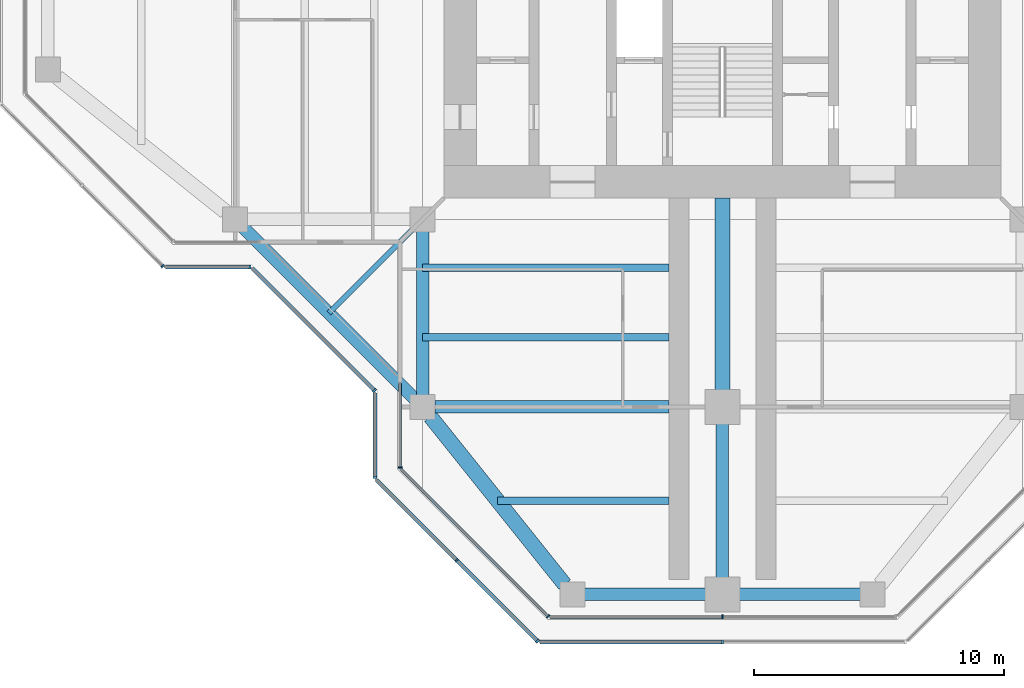
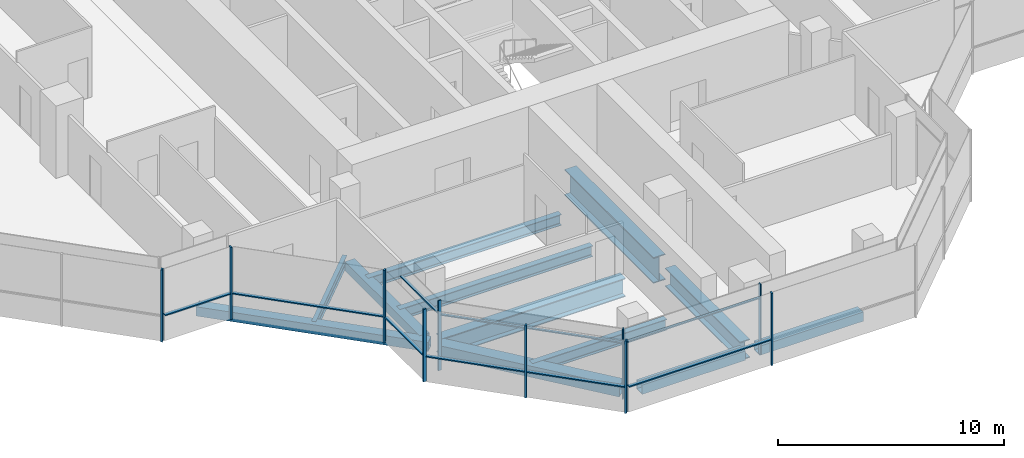
# One storey, part 2 of 16: 19 members, 12 beams, 9 elements without a shape of their own.
"""IFC4 building model written with IfcOpenShell, lengths in metres."""

from ifc_helpers import new_model, si_unit, direction, frame, origin, origin_2d, place, context, subcontext, project, spatial, rectangle, hollow_rectangle, i_section, extrude, material, material_profile, profile_set, type_object, element, aggregate, save


model = new_model("IFC4")

# Units and contexts
model_context = context("Model", 3, precision=1e-05, world=origin(), true_north=direction((0.0, 1.0)))
body_context = subcontext(model_context, "Body", "Model", "MODEL_VIEW")
ifc_project = project(units=[si_unit("LENGTHUNIT", "METRE"), si_unit("AREAUNIT", "SQUARE_METRE"), si_unit("VOLUMEUNIT", "CUBIC_METRE"), si_unit("PLANEANGLEUNIT", "RADIAN"), si_unit("MASSUNIT", "GRAM", prefix="KILO")], contexts=[model_context])

# Site, building, storey
site_placement = place(None, origin())
site = spatial("IfcSite", under=ifc_project, at=site_placement, CompositionType="ELEMENT")
building_placement = place(site_placement, origin())
building = spatial("IfcBuilding", under=site, at=building_placement, Name="Mizan Broadcast Tower", CompositionType="ELEMENT")
storey_placement = place(building_placement, frame((0.0, 0.0, 294.60009765625)))
storey = spatial("IfcBuildingStorey", under=building, at=storey_placement, Name="L70", CompositionType="ELEMENT", Elevation=294.60009765625)

# Beams
ifc_material_1 = material(Name="Steel S355", Category="steel")
ifc_material_profile_1 = material_profile(ifc_material_1, hollow_rectangle(XDim=0.5, YDim=0.5, WallThickness=0.030029296875, at=origin_2d()), Name="BOX 500x500x30")
ifc_profile_set_1 = profile_set([ifc_material_profile_1], Name="Steel S355")
beam_type_1 = type_object("IfcBeamType", Name="EDGE BEAM BOX 500x500x30", PredefinedType="SPANDREL", material=ifc_profile_set_1)
beam_1_placement = place(storey_placement, frame((-12.0, -12.449951171875, -0.380126953125), z_axis=(0.0, -1.0, 0.0), x_axis=(1.0, 0.0, 0.0)))
element("IfcBeam", 1, at=beam_1_placement, inside=storey, type_object=beam_type_1, Name="Edge beam BOX 500x500x30 L70 south arm", PredefinedType="SPANDREL", context=body_context, shape_type="SweptSolid", body=[
    extrude(hollow_rectangle(XDim=0.5, YDim=0.5, WallThickness=0.030029296875, at=origin_2d()), origin(), (0.0, 0.0, 1.0), 6.60009765625),
])
for number, where, z_axis, x_axis, name in (
    (2, (-5.639892578125, -27.0, -0.380126953125), (1.0, 0.0, 0.0), (0.0, 1.0, 0.0), "Edge beam BOX 500x500x30 L70 south arm"),
    (3, (5.639892578125, -27.0, -0.380126953125), (-1.0, 0.0, 0.0), (0.0, -1.0, 0.0), "Edge beam BOX 500x500x30 L70 south arm"),
):
    element("IfcBeam", number, at=place(storey_placement, frame(where, z_axis=z_axis, x_axis=x_axis)), inside=storey, type_object=beam_type_1, Name=name, PredefinedType="SPANDREL", context=body_context, shape_type="SweptSolid", body=[
        extrude(hollow_rectangle(XDim=0.5, YDim=0.5, WallThickness=0.030029296875, at=origin_2d()), origin(), (0.0, 0.0, 1.0), 5.27978515625),
    ])
beam_2_placement = place(storey_placement, frame((-19.5, -12.0, -0.380126953125), z_axis=(0.707106781187, -0.707106781187, 0.0), x_axis=(0.707106781187, 0.707106781187, 0.0)))
element("IfcBeam", 4, at=beam_2_placement, inside=storey, type_object=beam_type_1, Name="Winter garden edge beam L70 W", PredefinedType="SPANDREL", context=body_context, shape_type="SweptSolid", body=[
    extrude(hollow_rectangle(XDim=0.5, YDim=0.5, WallThickness=0.030029296875, at=origin_2d()), origin(), (0.0, 0.0, 1.0), 10.606689453125),
])
ifc_material_2 = material(Name="Steel S355", Category="steel")
ifc_material_profile_2 = material_profile(ifc_material_2, hollow_rectangle(XDim=0.60009765625, YDim=0.60009765625, WallThickness=0.030029296875, at=origin_2d()), Name="BOX 600x600x30")
ifc_profile_set_2 = profile_set([ifc_material_profile_2], Name="Steel S355")
beam_type_2 = type_object("IfcBeamType", Name="EDGE BEAM BOX 600x600x30", PredefinedType="SPANDREL", material=ifc_profile_set_2)
beam_3_placement = place(storey_placement, frame((-11.687744140625, -19.890380859375, -0.43017578125), z_axis=(0.62470196761, -0.780863273348, 0.0), x_axis=(0.780863273348, 0.62470196761, 0.0)))
element("IfcBeam", 5, at=beam_3_placement, inside=storey, type_object=beam_type_2, Name="Edge beam BOX 600x600x30 L70 south arm", PredefinedType="SPANDREL", context=body_context, shape_type="SweptSolid", body=[
    extrude(hollow_rectangle(XDim=0.60009765625, YDim=0.60009765625, WallThickness=0.030029296875, at=origin_2d()), origin(), (0.0, 0.0, 1.0), 8.60498046875),
])
ifc_material_3 = material(Name="Steel S460", Category="steel")
ifc_material_profile_3 = material_profile(ifc_material_3, i_section(OverallWidth=0.5, OverallDepth=1.0, WebThickness=0.02490234375, FlangeThickness=0.050048828125, at=origin_2d()), Name="WPG 1000x500")
ifc_profile_set_3 = profile_set([ifc_material_profile_3], Name="Steel S460")
beam_type_3 = type_object("IfcBeamType", Name="GIRDER WPG 1000x500", PredefinedType="BEAM", material=ifc_profile_set_3)
beam_4_placement = place(storey_placement, frame((0.0, -19.949951171875, -0.630126953125), z_axis=(0.0, -1.0, 0.0), x_axis=(1.0, 0.0, 0.0)))
element("IfcBeam", 6, at=beam_4_placement, inside=storey, type_object=beam_type_3, Name="Girder WPG 1000x500 L70 south arm", PredefinedType="BEAM", context=body_context, shape_type="SweptSolid", body=[
    extrude(i_section(OverallWidth=0.5, OverallDepth=1.0, WebThickness=0.02490234375, FlangeThickness=0.050048828125, at=origin_2d()), origin(), (0.0, 0.0, 1.0), 6.60009765625),
])
beam_5_placement = place(storey_placement, frame((-11.5, -19.5, -0.630126953125), z_axis=(1.0, 0.0, 0.0), x_axis=(0.0, 1.0, 0.0)))
element("IfcBeam", 7, at=beam_5_placement, inside=storey, type_object=beam_type_3, Name="Girder WPG 1000x500 L70 south arm", PredefinedType="BEAM", context=body_context, shape_type="SweptSolid", body=[
    extrude(i_section(OverallWidth=0.5, OverallDepth=1.0, WebThickness=0.02490234375, FlangeThickness=0.050048828125, at=origin_2d()), origin(), (0.0, 0.0, 1.0), 9.35009765625),
])
ifc_material_4 = material(Name="Steel S460", Category="steel")
ifc_material_profile_4 = material_profile(ifc_material_4, i_section(OverallWidth=0.60009765625, OverallDepth=1.39990234375, WebThickness=0.02490234375, FlangeThickness=0.06005859375, at=origin_2d()), Name="WPG 1400x600")
ifc_profile_set_4 = profile_set([ifc_material_profile_4], Name="Steel S460")
beam_type_4 = type_object("IfcBeamType", Name="GIRDER WPG 1400x600", PredefinedType="BEAM", material=ifc_profile_set_4)
beam_6_placement = place(storey_placement, frame((0.0, -11.14990234375, -0.830078125), z_axis=(0.0, -1.0, 0.0), x_axis=(1.0, 0.0, 0.0)))
element("IfcBeam", 8, at=beam_6_placement, inside=storey, type_object=beam_type_4, Name="Girder WPG 1400x600 L70 south arm", PredefinedType="BEAM", context=body_context, shape_type="SweptSolid", body=[
    extrude(i_section(OverallWidth=0.60009765625, OverallDepth=1.39990234375, WebThickness=0.02490234375, FlangeThickness=0.06005859375, at=origin_2d()), origin(), (0.0, 0.0, 1.0), 7.84912109375),
])

# Curtain wall, member
ifc_material_5 = material(Name="Aluminium framed glazing", Category="aluminium")
curtain_wall_type_1 = type_object("IfcCurtainWallType", Name="INNER SKIN TOP ZONE", PredefinedType="USERDEFINED", material=ifc_material_5)
curtain_wall_1_placement = place(storey_placement, origin())
curtain_wall_1 = element("IfcCurtainWall", 9, at=curtain_wall_1_placement, inside=storey, type_object=curtain_wall_type_1, Name="Inner skin top zone L70 S side", ObjectType="INNER SKIN TOP ZONE", PredefinedType="USERDEFINED")
ifc_material_6 = material(Name="Aluminium, pale anodised", Category="aluminium")
ifc_material_profile_5 = material_profile(ifc_material_6, rectangle(XDim=0.159912109375, YDim=0.06005859375, at=origin_2d()), Name="MULLION 160x60")
ifc_profile_set_5 = profile_set([ifc_material_profile_5], Name="Aluminium, pale anodised")
member_type_1 = type_object("IfcMemberType", Name="INNER SKIN MULLION 60x160", PredefinedType="MULLION", material=ifc_profile_set_5)
member_1_placement = place(storey_placement, frame((-12.89990234375, -21.928466796875, 0.0), z_axis=(0.0, 0.0, 1.0), x_axis=(1.0, 0.0, 0.0)))
member_1 = element("IfcMember", 10, at=member_1_placement, type_object=member_type_1, Name="Inner skin top zone L70 S side mullion 2", PredefinedType="MULLION", context=body_context, shape_type="SweptSolid", body=[
    extrude(rectangle(XDim=0.159912109375, YDim=0.06005859375, at=origin_2d()), origin(), (0.0, 0.0, 1.0), 3.77001953125),
])

curtain_wall_2_placement = place(storey_placement, origin())
curtain_wall_2 = element("IfcCurtainWall", 11, at=curtain_wall_2_placement, inside=storey, type_object=curtain_wall_type_1, Name="Inner skin top zone L70 S chamfer", ObjectType="INNER SKIN TOP ZONE", PredefinedType="USERDEFINED")
member_2_placement = place(storey_placement, frame((-6.979736328125, -27.87890625, 0.0), z_axis=(0.0, 0.0, 1.0), x_axis=(0.707106781187, 0.707106781187, 0.0)))
member_2 = element("IfcMember", 12, at=member_2_placement, type_object=member_type_1, Name="Inner skin top zone L70 S chamfer mullion 2", PredefinedType="MULLION", context=body_context, shape_type="SweptSolid", body=[
    extrude(rectangle(XDim=0.159912109375, YDim=0.06005859375, at=origin_2d()), origin(), (0.0, 0.0, 1.0), 3.77001953125),
])

curtain_wall_3_placement = place(storey_placement, origin())
curtain_wall_3 = element("IfcCurtainWall", 13, at=curtain_wall_3_placement, inside=storey, type_object=curtain_wall_type_1, Name="Inner skin top zone L70 S end", ObjectType="INNER SKIN TOP ZONE", PredefinedType="USERDEFINED")
member_3_placement = place(storey_placement, frame((0.0, -27.89990234375, 0.0), z_axis=(0.0, 0.0, 1.0), x_axis=(0.0, 1.0, 0.0)))
member_3 = element("IfcMember", 14, at=member_3_placement, type_object=member_type_1, Name="Inner skin top zone L70 S end mullion 2", PredefinedType="MULLION", context=body_context, shape_type="SweptSolid", body=[
    extrude(rectangle(XDim=0.159912109375, YDim=0.06005859375, at=origin_2d()), origin(), (0.0, 0.0, 1.0), 3.77001953125),
])

# Member
ifc_material_7 = material(Name="Aluminium, pale anodised", Category="aluminium")
ifc_material_profile_6 = material_profile(ifc_material_7, rectangle(XDim=0.1201171875, YDim=0.06005859375, at=origin_2d()), Name="TRANSOM 120x60")
ifc_profile_set_6 = profile_set([ifc_material_profile_6], Name="Aluminium, pale anodised")
member_type_2 = type_object("IfcMemberType", Name="INNER SKIN TRANSOM 60x120", PredefinedType="USERDEFINED", material=ifc_profile_set_6)
member_4_placement = place(storey_placement, frame((-12.89990234375, -18.56005859375, 3.02978515625), z_axis=(0.0, -1.0, 0.0), x_axis=(1.0, 0.0, 0.0)))
member_4 = element("IfcMember", 15, at=member_4_placement, type_object=member_type_2, Name="Inner skin top zone L70 S side transom 1.1", ObjectType="TRANSOM", PredefinedType="USERDEFINED", context=body_context, shape_type="SweptSolid", body=[
    extrude(rectangle(XDim=0.1201171875, YDim=0.06005859375, at=origin_2d()), origin(), (0.0, 0.0, 1.0), 3.338623046875),
])

aggregate(curtain_wall_1, [member_1, member_4])

member_5_placement = place(storey_placement, frame((-12.857666015625, -22.0009765625, 3.02978515625), z_axis=(0.707106781187, -0.707106781187, 0.0), x_axis=(0.707106781187, 0.707106781187, 0.0)))
member_5 = element("IfcMember", 16, at=member_5_placement, type_object=member_type_2, Name="Inner skin top zone L70 S chamfer transom 1.1", ObjectType="TRANSOM", PredefinedType="USERDEFINED", context=body_context, shape_type="SweptSolid", body=[
    extrude(rectangle(XDim=0.1201171875, YDim=0.06005859375, at=origin_2d()), origin(), (0.0, 0.0, 1.0), 8.28271484375),
])

aggregate(curtain_wall_2, [member_2, member_5])

member_6_placement = place(storey_placement, frame((-6.898681640625, -27.89990234375, 3.02978515625), z_axis=(1.0, 0.0, 0.0), x_axis=(0.0, 1.0, 0.0)))
member_6 = element("IfcMember", 17, at=member_6_placement, type_object=member_type_2, Name="Inner skin top zone L70 S end transom 1.1", ObjectType="TRANSOM", PredefinedType="USERDEFINED", context=body_context, shape_type="SweptSolid", body=[
    extrude(rectangle(XDim=0.1201171875, YDim=0.06005859375, at=origin_2d()), origin(), (0.0, 0.0, 1.0), 6.86865234375),
])

aggregate(curtain_wall_3, [member_3, member_6])

# Curtain wall, member
ifc_material_8 = material(Name="Aluminium framed glazing", Category="aluminium")
curtain_wall_type_2 = type_object("IfcCurtainWallType", Name="OUTER SKIN", PredefinedType="USERDEFINED", material=ifc_material_8)
curtain_wall_4_placement = place(storey_placement, origin())
curtain_wall_4 = element("IfcCurtainWall", 18, at=curtain_wall_4_placement, inside=storey, type_object=curtain_wall_type_2, Name="Outer skin L70 W chamfer", ObjectType="OUTER SKIN", PredefinedType="USERDEFINED")
ifc_material_9 = material(Name="Aluminium, pale anodised", Category="aluminium")
ifc_material_profile_7 = material_profile(ifc_material_9, rectangle(XDim=0.159912109375, YDim=0.080078125, at=origin_2d()), Name="MULLION 160x80")
ifc_profile_set_7 = profile_set([ifc_material_profile_7], Name="Aluminium, pale anodised")
member_type_3 = type_object("IfcMemberType", Name="OUTER SKIN MULLION 80x160", PredefinedType="MULLION", material=ifc_profile_set_7)
member_7_placement = place(storey_placement, frame((-22.401123046875, -13.871826171875, 0.0), z_axis=(0.0, 0.0, 1.0), x_axis=(0.707106781187, 0.707106781187, 0.0)))
member_7 = element("IfcMember", 19, at=member_7_placement, type_object=member_type_3, Name="Outer skin L70 W chamfer mullion 3", PredefinedType="MULLION", context=body_context, shape_type="SweptSolid", body=[
    extrude(rectangle(XDim=0.159912109375, YDim=0.080078125, at=origin_2d()), origin(), (0.0, 0.0, 1.0), 3.89990234375),
])
aggregate(curtain_wall_4, [member_7])

curtain_wall_5_placement = place(storey_placement, origin())
curtain_wall_5 = element("IfcCurtainWall", 20, at=curtain_wall_5_placement, inside=storey, type_object=curtain_wall_type_2, Name="Outer skin L70 W side", ObjectType="OUTER SKIN", PredefinedType="USERDEFINED")
member_8_placement = place(storey_placement, frame((-18.912841796875, -13.89990234375, 0.0), z_axis=(0.0, 0.0, 1.0), x_axis=(0.0, 1.0, 0.0)))
member_8 = element("IfcMember", 21, at=member_8_placement, type_object=member_type_3, Name="Outer skin L70 W side mullion 2", PredefinedType="MULLION", context=body_context, shape_type="SweptSolid", body=[
    extrude(rectangle(XDim=0.159912109375, YDim=0.080078125, at=origin_2d()), origin(), (0.0, 0.0, 1.0), 3.89990234375),
])

curtain_wall_6_placement = place(storey_placement, origin())
curtain_wall_6 = element("IfcCurtainWall", 22, at=curtain_wall_6_placement, inside=storey, type_object=curtain_wall_type_2, Name="Outer skin L70 W chamfer", ObjectType="OUTER SKIN", PredefinedType="USERDEFINED")
member_9_placement = place(storey_placement, frame((-13.92822265625, -18.844482421875, 0.0), z_axis=(0.0, 0.0, 1.0), x_axis=(0.707106781187, 0.707106781187, 0.0)))
member_9 = element("IfcMember", 23, at=member_9_placement, type_object=member_type_3, Name="Outer skin L70 W chamfer mullion 2", PredefinedType="MULLION", context=body_context, shape_type="SweptSolid", body=[
    extrude(rectangle(XDim=0.159912109375, YDim=0.080078125, at=origin_2d()), origin(), (0.0, 0.0, 1.0), 3.89990234375),
])

curtain_wall_7_placement = place(storey_placement, origin())
curtain_wall_7 = element("IfcCurtainWall", 24, at=curtain_wall_7_placement, inside=storey, type_object=curtain_wall_type_2, Name="Outer skin L70 S side", ObjectType="OUTER SKIN", PredefinedType="USERDEFINED")
member_10_placement = place(storey_placement, frame((-13.89990234375, -22.332763671875, 0.0), z_axis=(0.0, 0.0, 1.0), x_axis=(1.0, 0.0, 0.0)))
member_10 = element("IfcMember", 25, at=member_10_placement, type_object=member_type_3, Name="Outer skin L70 S side mullion 2", PredefinedType="MULLION", context=body_context, shape_type="SweptSolid", body=[
    extrude(rectangle(XDim=0.159912109375, YDim=0.080078125, at=origin_2d()), origin(), (0.0, 0.0, 1.0), 3.89990234375),
])

# Curtain wall, members
curtain_wall_8_placement = place(storey_placement, origin())
curtain_wall_8 = element("IfcCurtainWall", 26, at=curtain_wall_8_placement, inside=storey, type_object=curtain_wall_type_2, Name="Outer skin L70 S chamfer", ObjectType="OUTER SKIN", PredefinedType="USERDEFINED")
member_11_placement = place(storey_placement, frame((-10.636474609375, -25.636474609375, 0.0), z_axis=(0.0, 0.0, 1.0), x_axis=(0.707106781187, 0.707106781187, 0.0)))
member_11 = element("IfcMember", 27, at=member_11_placement, type_object=member_type_3, Name="Outer skin L70 S chamfer mullion 2", PredefinedType="MULLION", context=body_context, shape_type="SweptSolid", body=[
    extrude(rectangle(XDim=0.159912109375, YDim=0.080078125, at=origin_2d()), origin(), (0.0, 0.0, 1.0), 3.89990234375),
])
member_12_placement = place(storey_placement, frame((-7.401123046875, -28.871826171875, 0.0), z_axis=(0.0, 0.0, 1.0), x_axis=(0.707106781187, 0.707106781187, 0.0)))
member_12 = element("IfcMember", 28, at=member_12_placement, type_object=member_type_3, Name="Outer skin L70 S chamfer mullion 3", PredefinedType="MULLION", context=body_context, shape_type="SweptSolid", body=[
    extrude(rectangle(XDim=0.159912109375, YDim=0.080078125, at=origin_2d()), origin(), (0.0, 0.0, 1.0), 3.89990234375),
])

# Curtain wall, member
curtain_wall_9_placement = place(storey_placement, origin())
curtain_wall_9 = element("IfcCurtainWall", 29, at=curtain_wall_9_placement, inside=storey, type_object=curtain_wall_type_2, Name="Outer skin L70 S end", ObjectType="OUTER SKIN", PredefinedType="USERDEFINED")
member_13_placement = place(storey_placement, frame((0.0, -28.89990234375, 0.0), z_axis=(0.0, 0.0, 1.0), x_axis=(0.0, 1.0, 0.0)))
member_13 = element("IfcMember", 30, at=member_13_placement, type_object=member_type_3, Name="Outer skin L70 S end mullion 2", PredefinedType="MULLION", context=body_context, shape_type="SweptSolid", body=[
    extrude(rectangle(XDim=0.159912109375, YDim=0.080078125, at=origin_2d()), origin(), (0.0, 0.0, 1.0), 3.89990234375),
])

# Member
ifc_material_10 = material(Name="Aluminium, pale anodised", Category="aluminium")
ifc_material_profile_8 = material_profile(ifc_material_10, rectangle(XDim=0.159912109375, YDim=0.06005859375, at=origin_2d()), Name="TRANSOM 160x60")
ifc_profile_set_8 = profile_set([ifc_material_profile_8], Name="Aluminium, pale anodised")
member_type_4 = type_object("IfcMemberType", Name="OUTER SKIN TRANSOM 60x160", PredefinedType="USERDEFINED", material=ifc_profile_set_8)
member_14_placement = place(storey_placement, frame((-22.292724609375, -13.89990234375, 1.39990234375), z_axis=(1.0, 0.0, 0.0), x_axis=(0.0, 1.0, 0.0)))
member_14 = element("IfcMember", 31, at=member_14_placement, type_object=member_type_4, Name="Outer skin L70 W side transom 1.1", ObjectType="TRANSOM", PredefinedType="USERDEFINED", context=body_context, shape_type="SweptSolid", body=[
    extrude(rectangle(XDim=0.159912109375, YDim=0.06005859375, at=origin_2d()), origin(), (0.0, 0.0, 1.0), 3.33984375),
])

aggregate(curtain_wall_5, [member_8, member_14])

member_15_placement = place(storey_placement, frame((-18.816162109375, -13.95654296875, 1.39990234375), z_axis=(0.707106781187, -0.707106781187, 0.0), x_axis=(0.707106781187, 0.707106781187, 0.0)))
member_15 = element("IfcMember", 32, at=member_15_placement, type_object=member_type_4, Name="Outer skin L70 W chamfer transom 1.1", ObjectType="TRANSOM", PredefinedType="USERDEFINED", context=body_context, shape_type="SweptSolid", body=[
    extrude(rectangle(XDim=0.159912109375, YDim=0.06005859375, at=origin_2d()), origin(), (0.0, 0.0, 1.0), 6.87255859375),
])

aggregate(curtain_wall_6, [member_9, member_15])

member_16_placement = place(storey_placement, frame((-13.89990234375, -18.952880859375, 1.39990234375), z_axis=(0.0, -1.0, 0.0), x_axis=(1.0, 0.0, 0.0)))
member_16 = element("IfcMember", 33, at=member_16_placement, type_object=member_type_4, Name="Outer skin L70 S side transom 1.1", ObjectType="TRANSOM", PredefinedType="USERDEFINED", context=body_context, shape_type="SweptSolid", body=[
    extrude(rectangle(XDim=0.159912109375, YDim=0.06005859375, at=origin_2d()), origin(), (0.0, 0.0, 1.0), 3.33984375),
])

aggregate(curtain_wall_7, [member_10, member_16])

member_17_placement = place(storey_placement, frame((-13.843505859375, -22.429443359375, 1.39990234375), z_axis=(0.707106781187, -0.707106781187, 0.0), x_axis=(0.707106781187, 0.707106781187, 0.0)))
member_17 = element("IfcMember", 34, at=member_17_placement, type_object=member_type_4, Name="Outer skin L70 S chamfer transom 1.1", ObjectType="TRANSOM", PredefinedType="USERDEFINED", context=body_context, shape_type="SweptSolid", body=[
    extrude(rectangle(XDim=0.159912109375, YDim=0.06005859375, at=origin_2d()), origin(), (0.0, 0.0, 1.0), 4.495361328125),
])

member_18_placement = place(storey_placement, frame((-10.608154296875, -25.664794921875, 1.39990234375), z_axis=(0.707106781187, -0.707106781187, 0.0), x_axis=(0.707106781187, 0.707106781187, 0.0)))
member_18 = element("IfcMember", 35, at=member_18_placement, type_object=member_type_4, Name="Outer skin L70 S chamfer transom 2.1", ObjectType="TRANSOM", PredefinedType="USERDEFINED", context=body_context, shape_type="SweptSolid", body=[
    extrude(rectangle(XDim=0.159912109375, YDim=0.06005859375, at=origin_2d()), origin(), (0.0, 0.0, 1.0), 4.495361328125),
])

aggregate(curtain_wall_8, [member_11, member_12, member_17, member_18])

member_19_placement = place(storey_placement, frame((-7.292724609375, -28.89990234375, 1.39990234375), z_axis=(1.0, 0.0, 0.0), x_axis=(0.0, 1.0, 0.0)))
member_19 = element("IfcMember", 36, at=member_19_placement, type_object=member_type_4, Name="Outer skin L70 S end transom 1.1", ObjectType="TRANSOM", PredefinedType="USERDEFINED", context=body_context, shape_type="SweptSolid", body=[
    extrude(rectangle(XDim=0.159912109375, YDim=0.06005859375, at=origin_2d()), origin(), (0.0, 0.0, 1.0), 7.252685546875),
])

aggregate(curtain_wall_9, [member_13, member_19])

# Beams
ifc_material_11 = material(Name="Steel S355", Category="steel")
ifc_material_profile_9 = material_profile(ifc_material_11, i_section(OverallWidth=0.300048828125, OverallDepth=0.590087890625, WebThickness=0.012939453125, FlangeThickness=0.02490234375, FilletRadius=0.027099609375, at=origin_2d()), Name="HEA 600")
ifc_profile_set_9 = profile_set([ifc_material_profile_9], Name="Steel S355")
beam_type_5 = type_object("IfcBeamType", Name="SECONDARY BEAM HEA 600", PredefinedType="JOIST", material=ifc_profile_set_9)
for number, where, z_axis, x_axis, name in (
    (37, (-12.0, -13.933349609375, -0.425048828125), (1.0, 0.0, 0.0), (0.0, 1.0, 0.0), "Secondary beam HEA 600 L70 south arm"),
    (38, (-12.0, -16.716552734375, -0.425048828125), (1.0, 0.0, 0.0), (0.0, 1.0, 0.0), "Secondary beam HEA 600 L70 south arm"),
):
    element("IfcBeam", number, at=place(storey_placement, frame(where, z_axis=z_axis, x_axis=x_axis)), inside=storey, type_object=beam_type_5, Name=name, PredefinedType="JOIST", context=body_context, shape_type="SweptSolid", body=[
        extrude(i_section(OverallWidth=0.300048828125, OverallDepth=0.590087890625, WebThickness=0.012939453125, FlangeThickness=0.02490234375, FilletRadius=0.027099609375, at=origin_2d()), origin(), (0.0, 0.0, 1.0), 9.85009765625),
    ])
beam_7_placement = place(storey_placement, frame((-9.0, -23.25, -0.425048828125), z_axis=(1.0, 0.0, 0.0), x_axis=(0.0, 1.0, 0.0)))
element("IfcBeam", 39, at=beam_7_placement, inside=storey, type_object=beam_type_5, Name="Secondary beam HEA 600 L70 south arm", PredefinedType="JOIST", context=body_context, shape_type="SweptSolid", body=[
    extrude(i_section(OverallWidth=0.300048828125, OverallDepth=0.590087890625, WebThickness=0.012939453125, FlangeThickness=0.02490234375, FilletRadius=0.027099609375, at=origin_2d()), origin(), (0.0, 0.0, 1.0), 6.85009765625),
])
ifc_material_12 = material(Name="Steel S355", Category="steel")
ifc_material_profile_10 = material_profile(ifc_material_12, i_section(OverallWidth=0.2099609375, OverallDepth=0.550048828125, WebThickness=0.010986328125, FlangeThickness=0.01708984375, FilletRadius=0.02392578125, at=origin_2d()), Name="IPE 550")
ifc_profile_set_10 = profile_set([ifc_material_profile_10], Name="Steel S355")
beam_type_6 = type_object("IfcBeamType", Name="SECONDARY BEAM IPE 550", PredefinedType="JOIST", material=ifc_profile_set_10)
beam_8_placement = place(storey_placement, frame((-12.0, -12.0, -0.405029296875), z_axis=(-0.707106781187, -0.707106781187, 0.0), x_axis=(0.707106781187, -0.707106781187, 0.0)))
element("IfcBeam", 40, at=beam_8_placement, inside=storey, type_object=beam_type_6, Name="Winter garden beam L70 W", PredefinedType="JOIST", context=body_context, shape_type="SweptSolid", body=[
    extrude(i_section(OverallWidth=0.2099609375, OverallDepth=0.550048828125, WebThickness=0.010986328125, FlangeThickness=0.01708984375, FilletRadius=0.02392578125, at=origin_2d()), origin(), (0.0, 0.0, 1.0), 5.30322265625),
])

save(model, "model.ifc")
